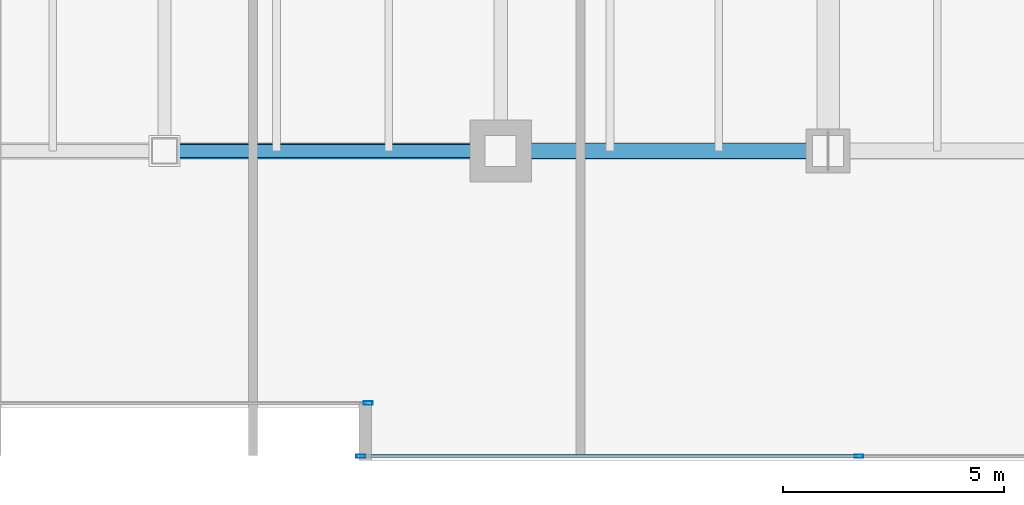
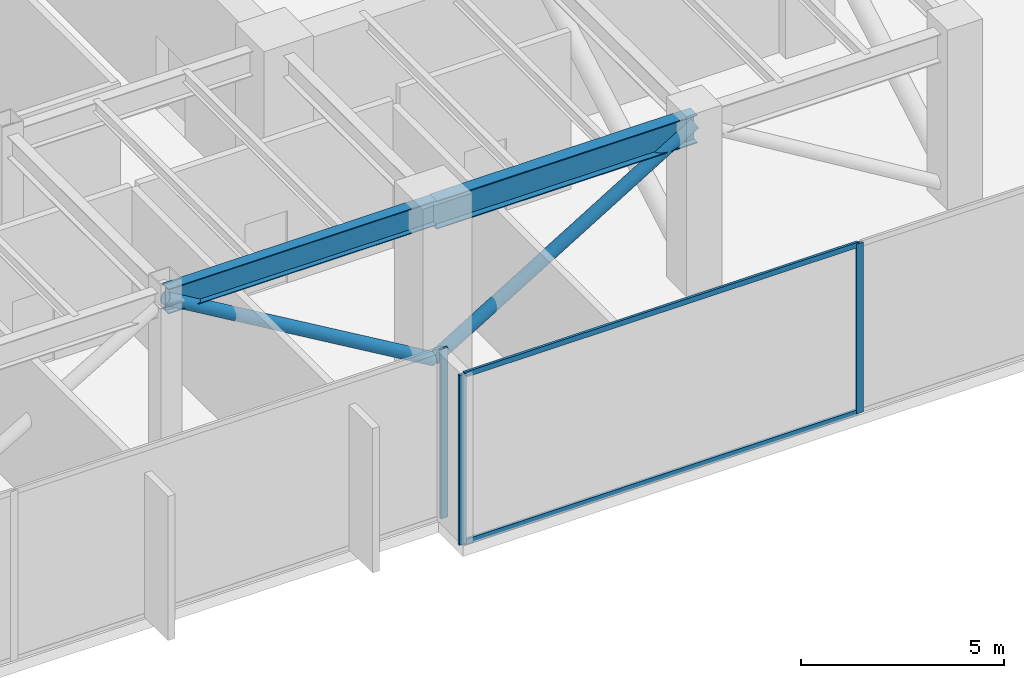
# One storey, part 10 of 38: 7 members, 2 beams, 2 elements without a shape of their own.
"""IFC4 building model written with IfcOpenShell, lengths in metres."""

import ifcopenshell
import ifcopenshell.guid

model = None  # the IFC model being written
_history = None  # IfcOwnerHistory: only IFC2X3 demands one
_inside = {}  # id of a spatial element -> (the spatial element, [elements in it])
_under = {}  # id of a project, library or spatial element -> (it, [spatial elements below it])
_declared = {}  # id of a project -> (the project, [libraries it declares])
_typed = {}  # id of a type object -> (the type object, [elements of that type])
_made_of = {}  # id of a material, layer set ... -> (it, [elements and type objects made of it])


def new_model(schema):
    """Start an empty IFC model of exactly this schema.

    Asked for "IFC4X3", IfcOpenShell would pick the latest addendum, in which some entities
    have other attributes; the version numbers below select the first issue.
    IFC2X3 requires an IfcOwnerHistory on every rooted entity: one is made here for all.
    """
    global model, _history
    if schema == "IFC4X3":
        model = ifcopenshell.file(schema_version=(4, 3, 0, 0))
    else:
        model = ifcopenshell.file(schema=schema)
    _inside.clear()
    _under.clear()
    _declared.clear()
    _typed.clear()
    _made_of.clear()
    _history = None
    if model.schema == "IFC2X3":
        org = make("IfcOrganization", Name="unknown")
        user = make(
            "IfcPersonAndOrganization",
            ThePerson=make("IfcPerson", FamilyName="unknown"),
            TheOrganization=org,
        )
        app = make(
            "IfcApplication",
            ApplicationDeveloper=org,
            Version="unknown",
            ApplicationFullName="unknown",
            ApplicationIdentifier="unknown",
        )
        _history = make(
            "IfcOwnerHistory",
            OwningUser=user,
            OwningApplication=app,
            ChangeAction="ADDED",
            CreationDate=0,
        )
    return model


def make(cls, **values):
    """One entity of the class cls with the attributes given. An attribute that is None is left unset."""
    return model.create_entity(
        cls, **{name: value for name, value in values.items() if value is not None}
    )


def rooted(cls, **values):
    """An entity with a GlobalId (a new one), such as an element, a storey or a relation."""
    return make(cls, GlobalId=ifcopenshell.guid.new(), OwnerHistory=_history, **values)


def si_unit(unit_type, name, prefix=None):
    """IfcSIUnit, for example si_unit("LENGTHUNIT", "METRE", prefix="MILLI")."""
    return make("IfcSIUnit", UnitType=unit_type, Prefix=prefix, Name=name)


def assignment(units):
    """IfcUnitAssignment: the units of a project."""
    return None if units is None else make("IfcUnitAssignment", Units=units)


def point(xyz):
    """IfcCartesianPoint."""
    return None if xyz is None else make("IfcCartesianPoint", Coordinates=xyz)


def direction(xyz):
    """IfcDirection."""
    return None if xyz is None else make("IfcDirection", DirectionRatios=xyz)


def frame(location, z_axis=None, x_axis=None):
    """IfcAxis2Placement3D, a coordinate frame: its origin and axes. An axis left out is left unset."""
    return make(
        "IfcAxis2Placement3D",
        Location=point(location),
        Axis=direction(z_axis),
        RefDirection=direction(x_axis),
    )


def frame_2d(location, x_axis=None):
    """IfcAxis2Placement2D, a coordinate frame in the plane: its origin and x axis."""
    return make(
        "IfcAxis2Placement2D", Location=point(location), RefDirection=direction(x_axis)
    )


def origin():
    """The frame at (0, 0, 0) with its axes left unset."""
    return frame((0.0, 0.0, 0.0))


def origin_2d():
    """The frame at (0, 0) in the plane with its x axis left unset."""
    return frame_2d((0.0, 0.0))


def place(relative_to, where):
    """IfcLocalPlacement: puts the frame where relative to a parent placement (None: the world)."""
    return make(
        "IfcLocalPlacement", PlacementRelTo=relative_to, RelativePlacement=where
    )


def context(
    kind, dimensions, precision=None, world=None, true_north=None, identifier=None
):
    """IfcGeometricRepresentationContext, for example the 3D "Model" context."""
    return make(
        "IfcGeometricRepresentationContext",
        ContextIdentifier=identifier,
        ContextType=kind,
        CoordinateSpaceDimension=dimensions,
        Precision=precision,
        WorldCoordinateSystem=world,
        TrueNorth=true_north,
    )


def subcontext(parent, identifier, kind, view, scale=None):
    """IfcGeometricRepresentationSubContext, for example "Body" below "Model"."""
    return make(
        "IfcGeometricRepresentationSubContext",
        ContextIdentifier=identifier,
        ContextType=kind,
        ParentContext=parent,
        TargetScale=scale,
        TargetView=view,
    )


def project(units=None, contexts=None):
    """IfcProject with its units and contexts."""
    return rooted(
        "IfcProject",
        Name="project",
        RepresentationContexts=contexts,
        UnitsInContext=assignment(units),
    )


def spatial(cls, under=None, at=None, **own):
    """A site, building, storey or space (cls), placed at a placement, below another one or the project."""
    s = rooted(cls, ObjectPlacement=at, **own)
    if under is not None:
        _under.setdefault(under.id(), (under, []))[1].append(s)
    return s


def profile(cls, at=None, kind="AREA", **sizes):
    """A parametric profile (cls). Its sizes go by their IFC names, for example OverallWidth=200.0."""
    return make(cls, ProfileType=kind, Position=at, **sizes)


def hollow_rectangle(**sizes):
    """IfcRectangleHollowProfileDef."""
    return profile("IfcRectangleHollowProfileDef", **sizes)


def hollow_circle(**sizes):
    """IfcCircleHollowProfileDef."""
    return profile("IfcCircleHollowProfileDef", **sizes)


def i_section(**sizes):
    """IfcIShapeProfileDef."""
    return profile("IfcIShapeProfileDef", **sizes)


def extrude(swept, where, along, depth):
    """IfcExtrudedAreaSolid: the profile swept, set in the frame where, extruded along a direction by depth."""
    return make(
        "IfcExtrudedAreaSolid",
        SweptArea=swept,
        Position=where,
        ExtrudedDirection=direction(along),
        Depth=depth,
    )


def shape(context_of_items, identifier, shape_type, items):
    """IfcShapeRepresentation: the items that make up one representation, for example the "Body"."""
    return make(
        "IfcShapeRepresentation",
        ContextOfItems=context_of_items,
        RepresentationIdentifier=identifier,
        RepresentationType=shape_type,
        Items=items,
    )


def source(mapping_origin, context_of_items, identifier, shape_type, items):
    """IfcRepresentationMap: a shape defined once, which mapped items show again and again."""
    return make(
        "IfcRepresentationMap",
        MappingOrigin=mapping_origin,
        MappedRepresentation=shape(context_of_items, identifier, shape_type, items),
    )


def transform(
    local_origin,
    x_axis=None,
    y_axis=None,
    z_axis=None,
    scale=None,
    scale2=None,
    scale3=None,
    uniform=True,
):
    """IfcCartesianTransformationOperator3D, or its non-uniform kind. x_axis, y_axis, z_axis: its Axis1, 2, 3."""
    if uniform:
        return make(
            "IfcCartesianTransformationOperator3D",
            Axis1=direction(x_axis),
            Axis2=direction(y_axis),
            LocalOrigin=point(local_origin),
            Scale=scale,
            Axis3=direction(z_axis),
        )
    return make(
        "IfcCartesianTransformationOperator3DnonUniform",
        Axis1=direction(x_axis),
        Axis2=direction(y_axis),
        LocalOrigin=point(local_origin),
        Scale=scale,
        Axis3=direction(z_axis),
        Scale2=scale2,
        Scale3=scale3,
    )


def mapped(mapping_source, mapping_target):
    """IfcMappedItem: shows the shape of a source again, moved by a transform."""
    return make(
        "IfcMappedItem", MappingSource=mapping_source, MappingTarget=mapping_target
    )


def material(Name=None, Category=None):
    """IfcMaterial."""
    return make("IfcMaterial", Name=Name, Category=Category)


def layer(
    of_material, thickness, ventilated=None, Name=None, Category=None, Priority=None
):
    """IfcMaterialLayer: one layer of a wall or slab, of a material (None: an air gap)."""
    return make(
        "IfcMaterialLayer",
        Material=of_material,
        LayerThickness=thickness,
        IsVentilated=ventilated,
        Name=Name,
        Category=Category,
        Priority=Priority,
    )


def layer_set(layers, Name=None):
    """IfcMaterialLayerSet."""
    return make("IfcMaterialLayerSet", MaterialLayers=layers, LayerSetName=Name)


def material_profile(
    of_material, cross_section, Name=None, Category=None, Priority=None
):
    """IfcMaterialProfile: a cross section and its material."""
    return make(
        "IfcMaterialProfile",
        Name=Name,
        Material=of_material,
        Profile=cross_section,
        Priority=Priority,
        Category=Category,
    )


def profile_set(profiles, Name=None, composite=None):
    """IfcMaterialProfileSet."""
    return make(
        "IfcMaterialProfileSet",
        Name=Name,
        MaterialProfiles=profiles,
        CompositeProfile=composite,
    )


def made_of(thing, what):
    """Note that an element or type object is made of a material, layer set ...; save() writes the relation."""
    if what is not None:
        _made_of.setdefault(what.id(), (what, []))[1].append(thing)
    return thing


def type_object(cls, material=None, **own):
    """A type object (cls), such as IfcWallType, which elements share."""
    return made_of(rooted(cls, **own), material)


def type_shapes(of_type, sources):
    """Give a type object the sources (RepresentationMaps) that its elements show as mapped items."""
    of_type.RepresentationMaps = sources


def element(
    cls,
    number,
    at=None,
    inside=None,
    cuts=None,
    type_object=None,
    material=None,
    context=None,
    identifier="Body",
    shape_type=None,
    held_by="IfcProductDefinitionShape",
    body=None,
    shapes=None,
    **own,
):
    """One element of the class cls, such as IfcWall. Its Tag is "e" and its number.

    at: its placement. inside: the storey or other place that contains it. cuts: it is an
    opening in that element (IfcRelVoidsElement). A single representation is given by context,
    identifier, shape_type and body (its items); several are given by shapes. held_by: the class
    of the entity that holds the representations. save() writes the other relations.
    """
    e = rooted(cls, Tag="e%d" % number, ObjectPlacement=at, **own)
    if body is not None:
        shapes = [shape(context, identifier, shape_type, body)]
    if shapes is not None:
        e.Representation = make(held_by, Representations=shapes)
    if inside is not None:
        _inside.setdefault(inside.id(), (inside, []))[1].append(e)
    if cuts is not None:
        rooted(
            "IfcRelVoidsElement", RelatingBuildingElement=cuts, RelatedOpeningElement=e
        )
    if type_object is not None:
        _typed.setdefault(type_object.id(), (type_object, []))[1].append(e)
    return made_of(e, material)


def aggregate(whole, parts):
    """IfcRelAggregates: a whole, such as a stair, and the parts it consists of."""
    return rooted("IfcRelAggregates", RelatingObject=whole, RelatedObjects=parts)


def save(model, path):
    """Write the relations noted so far, then the file.

    IfcRelAggregates (storeys below a building ...), IfcRelContainedInSpatialStructure (elements
    in a storey), IfcRelDefinesByType, IfcRelAssociatesMaterial and IfcRelDeclares: one each for
    every whole, place, type object, material and project.
    """
    for whole, parts in _under.values():
        aggregate(whole, parts)
    for where, things in _inside.values():
        rooted(
            "IfcRelContainedInSpatialStructure",
            RelatedElements=things,
            RelatingStructure=where,
        )
    for kind, things in _typed.values():
        rooted("IfcRelDefinesByType", RelatedObjects=things, RelatingType=kind)
    for what, things in _made_of.values():
        rooted("IfcRelAssociatesMaterial", RelatedObjects=things, RelatingMaterial=what)
    for by, libraries in _declared.values():
        rooted("IfcRelDeclares", RelatingContext=by, RelatedDefinitions=libraries)
    model.write(path)


model = new_model("IFC4")

# Units and contexts
model_context = context("Model", 3, precision=1e-05, world=origin(), true_north=direction((0.0, 1.0)))
body_context = subcontext(model_context, "Body", "Model", "MODEL_VIEW")
ifc_project = project(units=[si_unit("LENGTHUNIT", "METRE"), si_unit("AREAUNIT", "SQUARE_METRE"), si_unit("VOLUMEUNIT", "CUBIC_METRE"), si_unit("PLANEANGLEUNIT", "RADIAN"), si_unit("MASSUNIT", "GRAM", prefix="KILO")], contexts=[model_context])

# Site, building, storey
site_placement = place(None, origin())
site = spatial("IfcSite", under=ifc_project, at=site_placement, CompositionType="ELEMENT")
building_placement = place(site_placement, origin())
building = spatial("IfcBuilding", under=site, at=building_placement, Name="Haelvirn Gate Laboratories", CompositionType="ELEMENT")
storey_placement = place(building_placement, frame((0.0, 0.0, 94.89990234375)))
storey = spatial("IfcBuildingStorey", under=building, at=storey_placement, Name="L23", CompositionType="ELEMENT", Elevation=94.89990234375)

# Beams
ifc_material_1 = material(Name="Steel SM355", Category="steel")
ifc_material_profile_1 = material_profile(ifc_material_1, i_section(OverallWidth=0.300048828125, OverallDepth=0.75, WebThickness=0.013916015625, FlangeThickness=0.02392578125, at=origin_2d()), Name="H-750x300x14x24")
ifc_profile_set_1 = profile_set([ifc_material_profile_1], Name="Steel SM355")
beam_type_1 = type_object("IfcBeamType", Name="BM-G-750", PredefinedType="BEAM", material=ifc_profile_set_1)
shared_shape_1 = source(origin(), body_context, "Body", "SweptSolid", [
    extrude(i_section(OverallWidth=0.300048828125, OverallDepth=0.75, WebThickness=0.013916015625, FlangeThickness=0.02392578125, at=origin_2d()), origin(), (0.0, 0.0, 1.0), 7.60009765625),
])
type_shapes(beam_type_1, [shared_shape_1])
beam_1_placement = place(storey_placement, frame((45.0, 7.0, 4.715087890625), z_axis=(1.0, 0.0, 0.0), x_axis=(0.0, 1.0, 0.0)))
element("IfcBeam", 1, at=beam_1_placement, inside=storey, type_object=beam_type_1, Name="L23 Primary Girder Y7.0 (45.0-52.6)", PredefinedType="BEAM", context=body_context, shape_type="MappedRepresentation", body=[
    mapped(shared_shape_1, transform((0.0, 0.0, 0.0), scale=1.0)),
])
ifc_material_2 = material(Name="Steel SM420", Category="steel")
ifc_material_profile_2 = material_profile(ifc_material_2, i_section(OverallWidth=0.35009765625, OverallDepth=0.85009765625, WebThickness=0.01611328125, FlangeThickness=0.028076171875, at=origin_2d()), Name="H-850x350x16x28")
ifc_profile_set_2 = profile_set([ifc_material_profile_2], Name="Steel SM420")
beam_type_2 = type_object("IfcBeamType", Name="BM-AG-850", PredefinedType="BEAM", material=ifc_profile_set_2)
shared_shape_2 = source(origin(), body_context, "Body", "SweptSolid", [
    extrude(i_section(OverallWidth=0.35009765625, OverallDepth=0.85009765625, WebThickness=0.01611328125, FlangeThickness=0.028076171875, at=origin_2d()), origin(), (0.0, 0.0, 1.0), 7.39990234375),
])
type_shapes(beam_type_2, [shared_shape_2])
beam_2_placement = place(storey_placement, frame((52.60009765625, 7.0, 4.6650390625), z_axis=(1.0, 0.0, 0.0), x_axis=(0.0, 1.0, 0.0)))
element("IfcBeam", 2, at=beam_2_placement, inside=storey, type_object=beam_type_2, Name="L23 Primary Girder Y7.0 (52.6-60.0)", PredefinedType="BEAM", context=body_context, shape_type="MappedRepresentation", body=[
    mapped(shared_shape_2, transform((0.0, 0.0, 0.0), scale=1.0)),
])

# Members
ifc_material_profile_3 = material_profile(ifc_material_1, hollow_circle(Radius=0.177734375, WallThickness=0.013916015625, at=origin_2d()), Name="CHS-355x14")
ifc_profile_set_3 = profile_set([ifc_material_profile_3], Name="Steel SM355")
member_type_1 = type_object("IfcMemberType", Name="MEM-BELT-1", PredefinedType="STRUT", material=ifc_profile_set_3)
shared_shape_3 = source(origin(), body_context, "Body", "SweptSolid", [
    extrude(hollow_circle(Radius=0.177734375, WallThickness=0.013916015625, at=origin_2d()), origin(), (0.0, 0.0, 1.0), 8.655517578125),
])
member_1_placement = place(storey_placement, frame((52.60009765625, 7.0, 0.25), z_axis=(0.854931378918, 0.0, 0.518741108205), x_axis=(0.0, 1.0, 0.0)))
element("IfcMember", 3, at=member_1_placement, inside=storey, type_object=member_type_1, Name="L23 Perimeter Belt Truss S7", PredefinedType="STRUT", context=body_context, shape_type="MappedRepresentation", body=[
    mapped(shared_shape_3, transform((0.0, 0.0, 0.0), scale=1.0)),
])
shared_shape_4 = source(origin(), body_context, "Body", "SweptSolid", [
    extrude(hollow_circle(Radius=0.177734375, WallThickness=0.013916015625, at=origin_2d()), origin(), (0.0, 0.0, 1.0), 8.827392578125),
])
type_shapes(member_type_1, [shared_shape_3, shared_shape_4])
member_2_placement = place(storey_placement, frame((45.0, 7.0, 4.739990234375), z_axis=(0.860974977709, 0.0, -0.508647311759), x_axis=(0.0, 1.0, 0.0)))
element("IfcMember", 4, at=member_2_placement, inside=storey, type_object=member_type_1, Name="L23 Perimeter Belt Truss S6", PredefinedType="STRUT", context=body_context, shape_type="MappedRepresentation", body=[
    mapped(shared_shape_4, transform((0.0, 0.0, 0.0), scale=1.0)),
])

# Curtain wall, members
ifc_material_3 = material(Name="Anodised bronze unitised aluminium & triple low-E glass", Category="aluminium")
ifc_layer = layer(ifc_material_3, 0.18408203125, Name="CW-SYS-2")
ifc_layer_set = layer_set([ifc_layer], Name="Anodised bronze unitised aluminium & triple low-E glass")
curtain_wall_type = type_object("IfcCurtainWallType", Name="CW-SYS-2", PredefinedType="NOTDEFINED", material=ifc_layer_set)
curtain_wall_1_placement = place(storey_placement, origin())
curtain_wall_1 = element("IfcCurtainWall", 5, at=curtain_wall_1_placement, inside=storey, type_object=curtain_wall_type, Name="L23 Unitised Curtain Wall CW-L23-P0-E04-1", PredefinedType="NOTDEFINED")
ifc_material_4 = material(Name="Extruded aluminium 6063-T6 (anodised bronze)", Category="aluminium")
ifc_material_profile_4 = material_profile(ifc_material_4, hollow_rectangle(XDim=0.070068359375, YDim=0.159912109375, WallThickness=0.0048828125, at=origin_2d()), Name="CWT-160x70x5")
ifc_profile_set_4 = profile_set([ifc_material_profile_4], Name="Extruded aluminium 6063-T6 (anodised bronze)")
member_type_2 = type_object("IfcMemberType", Name="CWT-T160", PredefinedType="USERDEFINED", material=ifc_profile_set_4)
shared_shape_5 = source(origin(), body_context, "Body", "SweptSolid", [
    extrude(hollow_rectangle(XDim=0.070068359375, YDim=0.159912109375, WallThickness=0.0048828125, at=origin_2d()), origin(), (0.0, 0.0, 1.0), 11.1875),
])
type_shapes(member_type_2, [shared_shape_5])
member_3_placement = place(storey_placement, frame((49.47509765625, 0.10009765625, 0.03515625), z_axis=(1.0, 0.0, 0.0), x_axis=(0.0, 1.0, 0.0)))
member_3 = element("IfcMember", 6, at=member_3_placement, type_object=member_type_2, Name="CW2 transom 1.1", ObjectType="TRANSOM", PredefinedType="USERDEFINED", context=body_context, shape_type="MappedRepresentation", body=[
    mapped(shared_shape_5, transform((0.0, 0.0, 0.0), scale=1.0)),
])
member_4_placement = place(storey_placement, frame((49.47509765625, 0.10009765625, 5.05517578125), z_axis=(1.0, 0.0, 0.0), x_axis=(0.0, 1.0, 0.0)))
member_4 = element("IfcMember", 7, at=member_4_placement, type_object=member_type_2, Name="CW2 transom 1.2", ObjectType="TRANSOM", PredefinedType="USERDEFINED", context=body_context, shape_type="MappedRepresentation", body=[
    mapped(shared_shape_5, transform((0.0, 0.0, 0.0), scale=1.0)),
])

# Curtain wall, member
curtain_wall_2_placement = place(storey_placement, origin())
curtain_wall_2 = element("IfcCurtainWall", 8, at=curtain_wall_2_placement, inside=storey, type_object=curtain_wall_type, Name="L23 Unitised Curtain Wall CW-L23-P0-E02-1", PredefinedType="NOTDEFINED")
ifc_material_profile_5 = material_profile(ifc_material_4, hollow_rectangle(XDim=0.074951171875, YDim=0.199951171875, WallThickness=0.0048828125, at=origin_2d()), Name="CWM-200x75x5")
ifc_profile_set_5 = profile_set([ifc_material_profile_5], Name="Extruded aluminium 6063-T6 (anodised bronze)")
member_type_3 = type_object("IfcMemberType", Name="CWM-T200", PredefinedType="MULLION", material=ifc_profile_set_5)
shared_shape_6 = source(origin(), body_context, "Body", "SweptSolid", [
    extrude(hollow_rectangle(XDim=0.074951171875, YDim=0.199951171875, WallThickness=0.0048828125, at=origin_2d()), origin(), (0.0, 0.0, 1.0), 5.090087890625),
])
type_shapes(member_type_3, [shared_shape_6])
member_5_placement = place(storey_placement, frame((49.6025390625, 1.300048828125, 0.0), z_axis=(0.0, 0.0, 1.0), x_axis=(0.0, 1.0, 0.0)))
member_5 = element("IfcMember", 9, at=member_5_placement, type_object=member_type_3, Name="CW2 mullion 3", PredefinedType="MULLION", context=body_context, shape_type="MappedRepresentation", body=[
    mapped(shared_shape_6, transform((0.0, 0.0, 0.0), scale=1.0)),
])
aggregate(curtain_wall_2, [member_5])

# Member
member_6_placement = place(storey_placement, frame((49.4375, 0.10009765625, 0.0), z_axis=(0.0, 0.0, 1.0), x_axis=(0.0, 1.0, 0.0)))
member_6 = element("IfcMember", 10, at=member_6_placement, type_object=member_type_3, Name="CW2 mullion 1", PredefinedType="MULLION", context=body_context, shape_type="MappedRepresentation", body=[
    mapped(shared_shape_6, transform((0.0, 0.0, 0.0), scale=1.0)),
])

member_7_placement = place(storey_placement, frame((60.699951171875, 0.10009765625, 0.0), z_axis=(0.0, 0.0, 1.0), x_axis=(0.0, 1.0, 0.0)))
member_7 = element("IfcMember", 11, at=member_7_placement, type_object=member_type_3, Name="CW2 mullion 2", PredefinedType="MULLION", context=body_context, shape_type="MappedRepresentation", body=[
    mapped(shared_shape_6, transform((0.0, 0.0, 0.0), scale=1.0)),
])

aggregate(curtain_wall_1, [member_6, member_7, member_3, member_4])

save(model, "model.ifc")
